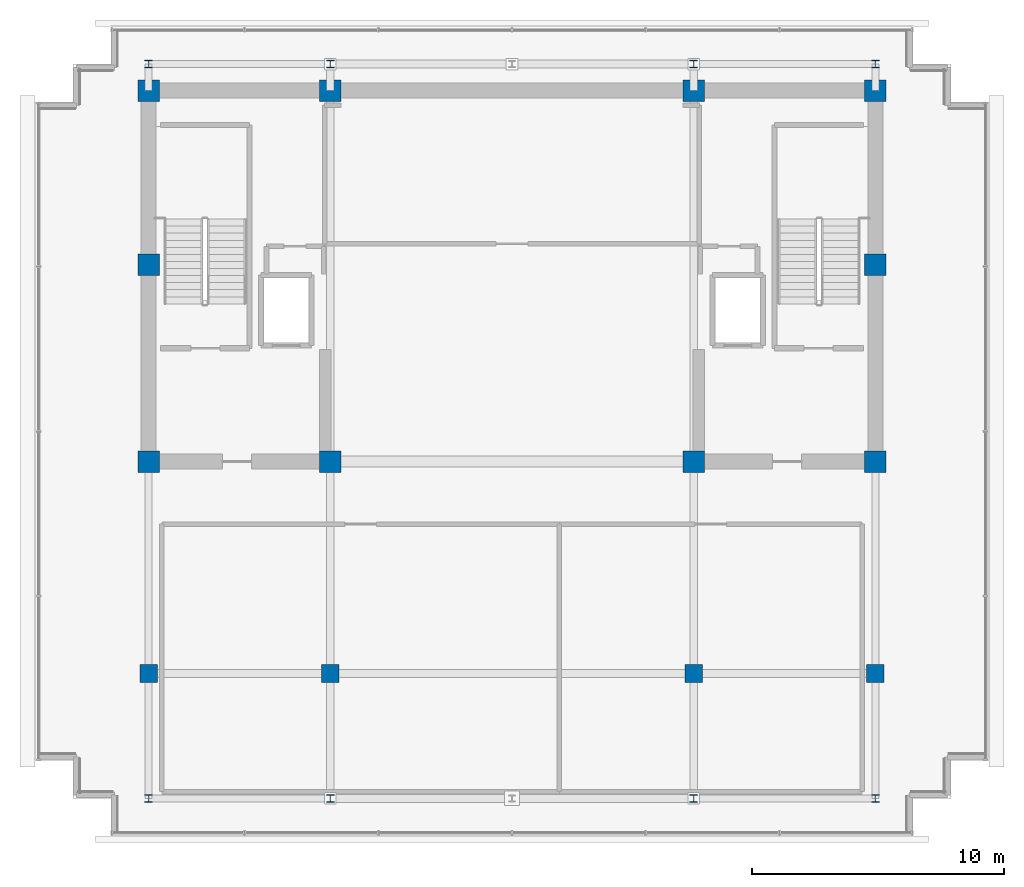
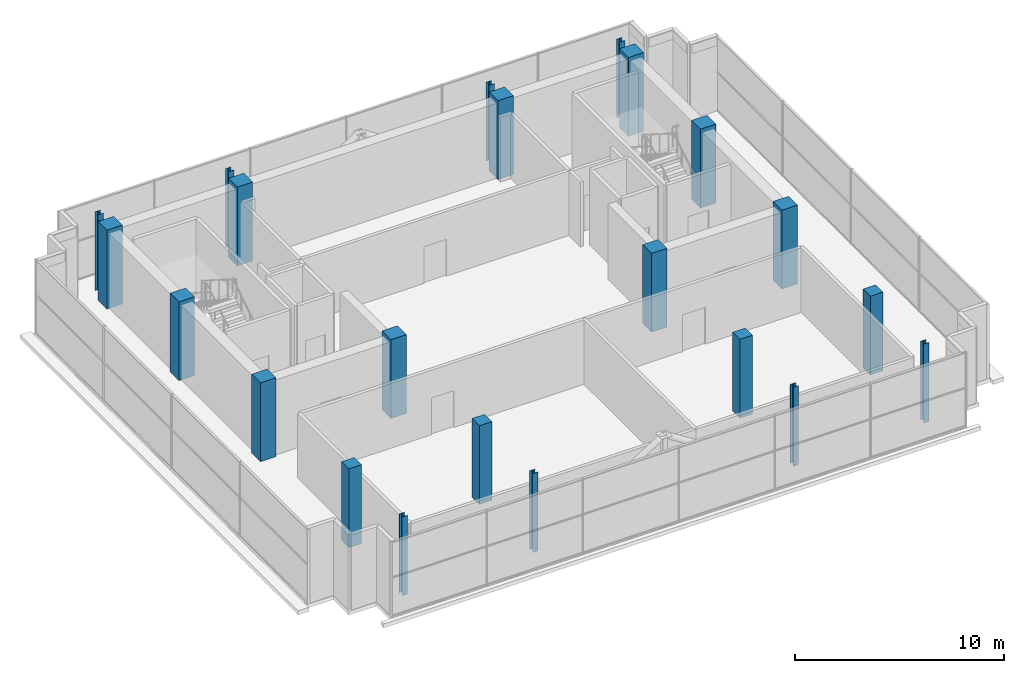
# One storey, part 1 of 26: 22 columns.
"""IFC4 building model written with IfcOpenShell, lengths in metres."""

from ifc_helpers import new_model, si_unit, direction, frame, origin, origin_2d, place, context, subcontext, project, spatial, rectangle, i_section, extrude, material, material_profile, profile_set, type_object, element, save


model = new_model("IFC4")

# Units and contexts
model_context = context("Model", 3, precision=1e-05, world=origin(), true_north=direction((0.0, 1.0)))
body_context = subcontext(model_context, "Body", "Model", "MODEL_VIEW")
ifc_project = project(units=[si_unit("LENGTHUNIT", "METRE"), si_unit("AREAUNIT", "SQUARE_METRE"), si_unit("VOLUMEUNIT", "CUBIC_METRE"), si_unit("PLANEANGLEUNIT", "RADIAN"), si_unit("MASSUNIT", "GRAM", prefix="KILO")], contexts=[model_context])

# Site, building, storey
site_placement = place(None, origin())
site = spatial("IfcSite", under=ifc_project, at=site_placement, CompositionType="ELEMENT")
building_placement = place(site_placement, origin())
building = spatial("IfcBuilding", under=site, at=building_placement, Name="Zarnakvel Exchange Tower", CompositionType="ELEMENT")
storey_placement = place(building_placement, frame((0.0, 0.0, 285.39990234375)))
storey = spatial("IfcBuildingStorey", under=building, at=storey_placement, Name="Crown L80", CompositionType="ELEMENT", Elevation=285.39990234375)

# Columns
ifc_material_1 = material(Name="Concrete C50/60", Category="concrete")
ifc_material_profile_1 = material_profile(ifc_material_1, rectangle(XDim=0.85009765625, YDim=0.85009765625, at=origin_2d()))
ifc_profile_set_1 = profile_set([ifc_material_profile_1], Name="Concrete C50/60")
column_type_1 = type_object("IfcColumnType", Name="CC-03", PredefinedType="COLUMN", material=ifc_profile_set_1)
for number, where, z_axis, x_axis, name in (
    (1, (-14.39990234375, -1.199951171875, 0.0), (0.0, 0.0, 1.0), (1.0, 0.0, 0.0), "Crown L80 Column C-4D (CC-03)"),
    (2, (-7.199951171875, -1.199951171875, 0.0), (0.0, 0.0, 1.0), (1.0, 0.0, 0.0), "Crown L80 Column C-5D (CC-03)"),
    (3, (7.199951171875, -1.199951171875, 0.0), (0.0, 0.0, 1.0), (1.0, 0.0, 0.0), "Crown L80 Column C-8D (CC-03)"),
    (4, (14.39990234375, -1.199951171875, 0.0), (0.0, 0.0, 1.0), (1.0, 0.0, 0.0), "Crown L80 Column C-9D (CC-03)"),
    (5, (-14.39990234375, 6.60009765625, 0.0), (0.0, 0.0, 1.0), (1.0, 0.0, 0.0), "Crown L80 Column C-4E (CC-03)"),
    (6, (14.39990234375, 6.60009765625, 0.0), (0.0, 0.0, 1.0), (1.0, 0.0, 0.0), "Crown L80 Column C-9E (CC-03)"),
    (7, (-14.39990234375, 13.5, 0.0), (0.0, 0.0, 1.0), (1.0, 0.0, 0.0), "Crown L80 Column C-4F (CC-03)"),
    (8, (-7.199951171875, 13.5, 0.0), (0.0, 0.0, 1.0), (1.0, 0.0, 0.0), "Crown L80 Column C-5F (CC-03)"),
    (9, (7.199951171875, 13.5, 0.0), (0.0, 0.0, 1.0), (1.0, 0.0, 0.0), "Crown L80 Column C-8F (CC-03)"),
    (10, (14.39990234375, 13.5, 0.0), (0.0, 0.0, 1.0), (1.0, 0.0, 0.0), "Crown L80 Column C-9F (CC-03)"),
):
    element("IfcColumn", number, at=place(storey_placement, frame(where, z_axis=z_axis, x_axis=x_axis)), inside=storey, type_object=column_type_1, Name=name, PredefinedType="COLUMN", context=body_context, shape_type="SweptSolid", body=[
        extrude(rectangle(XDim=0.85009765625, YDim=0.85009765625, at=origin_2d()), origin(), (0.0, 0.0, 1.0), 4.60009765625),
    ])
ifc_material_2 = material(Name="Steel S355", Category="steel")
ifc_material_profile_2 = material_profile(ifc_material_2, i_section(OverallWidth=0.300048828125, OverallDepth=0.300048828125, WebThickness=0.010986328125, FlangeThickness=0.01904296875, FilletRadius=0.027099609375, at=origin_2d()))
ifc_profile_set_2 = profile_set([ifc_material_profile_2], Name="Steel S355")
column_type_2 = type_object("IfcColumnType", Name="CF-01", PredefinedType="COLUMN", material=ifc_profile_set_2)
for number, where, z_axis, x_axis, name in (
    (11, (-14.39990234375, -14.550048828125, 0.0), (0.0, 0.0, 1.0), (1.0, 0.0, 0.0), "Crown L80 Column CS-4 (CF-01)"),
    (12, (-14.39990234375, 14.550048828125, 0.0), (0.0, 0.0, 1.0), (1.0, 0.0, 0.0), "Crown L80 Column CN-4 (CF-01)"),
    (13, (-7.199951171875, -14.550048828125, 0.0), (0.0, 0.0, 1.0), (1.0, 0.0, 0.0), "Crown L80 Column CS-5 (CF-01)"),
    (14, (-7.199951171875, 14.550048828125, 0.0), (0.0, 0.0, 1.0), (1.0, 0.0, 0.0), "Crown L80 Column CN-5 (CF-01)"),
    (15, (7.199951171875, -14.550048828125, 0.0), (0.0, 0.0, 1.0), (1.0, 0.0, 0.0), "Crown L80 Column CS-8 (CF-01)"),
    (16, (7.199951171875, 14.550048828125, 0.0), (0.0, 0.0, 1.0), (1.0, 0.0, 0.0), "Crown L80 Column CN-8 (CF-01)"),
    (17, (14.39990234375, -14.550048828125, 0.0), (0.0, 0.0, 1.0), (1.0, 0.0, 0.0), "Crown L80 Column CS-9 (CF-01)"),
    (18, (14.39990234375, 14.550048828125, 0.0), (0.0, 0.0, 1.0), (1.0, 0.0, 0.0), "Crown L80 Column CN-9 (CF-01)"),
):
    element("IfcColumn", number, at=place(storey_placement, frame(where, z_axis=z_axis, x_axis=x_axis)), inside=storey, type_object=column_type_2, Name=name, PredefinedType="COLUMN", context=body_context, shape_type="SweptSolid", body=[
        extrude(i_section(OverallWidth=0.300048828125, OverallDepth=0.300048828125, WebThickness=0.010986328125, FlangeThickness=0.01904296875, FilletRadius=0.027099609375, at=origin_2d()), origin(), (0.0, 0.0, 1.0), 4.60009765625),
    ])
ifc_material_profile_3 = material_profile(ifc_material_1, rectangle(XDim=0.699951171875, YDim=0.699951171875, at=origin_2d()))
ifc_profile_set_3 = profile_set([ifc_material_profile_3], Name="Concrete C50/60")
column_type_3 = type_object("IfcColumnType", Name="TC-05", PredefinedType="COLUMN", material=ifc_profile_set_3)
for number, where, z_axis, x_axis, name in (
    (19, (-14.39990234375, -9.60009765625, 0.0), (0.0, 0.0, 1.0), (1.0, 0.0, 0.0), "Crown L80 Column CC-4C (TC-05)"),
    (20, (-7.199951171875, -9.60009765625, 0.0), (0.0, 0.0, 1.0), (1.0, 0.0, 0.0), "Crown L80 Column CC-5C (TC-05)"),
    (21, (7.199951171875, -9.60009765625, 0.0), (0.0, 0.0, 1.0), (1.0, 0.0, 0.0), "Crown L80 Column CC-8C (TC-05)"),
    (22, (14.39990234375, -9.60009765625, 0.0), (0.0, 0.0, 1.0), (1.0, 0.0, 0.0), "Crown L80 Column CC-9C (TC-05)"),
):
    element("IfcColumn", number, at=place(storey_placement, frame(where, z_axis=z_axis, x_axis=x_axis)), inside=storey, type_object=column_type_3, Name=name, PredefinedType="COLUMN", context=body_context, shape_type="SweptSolid", body=[
        extrude(rectangle(XDim=0.699951171875, YDim=0.699951171875, at=origin_2d()), origin(), (0.0, 0.0, 1.0), 4.60009765625),
    ])

save(model, "model.ifc")
